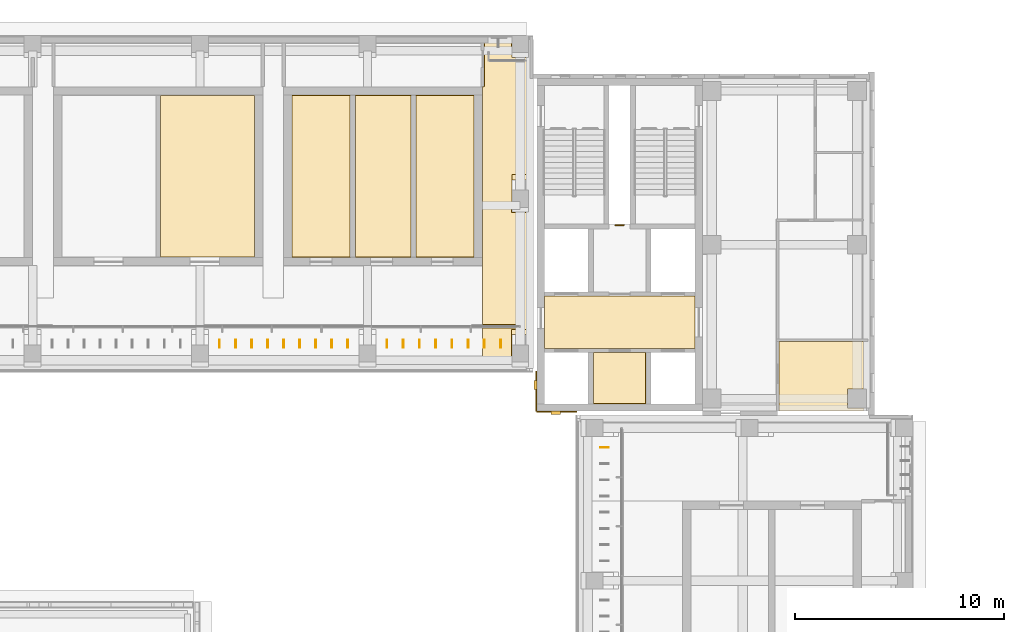
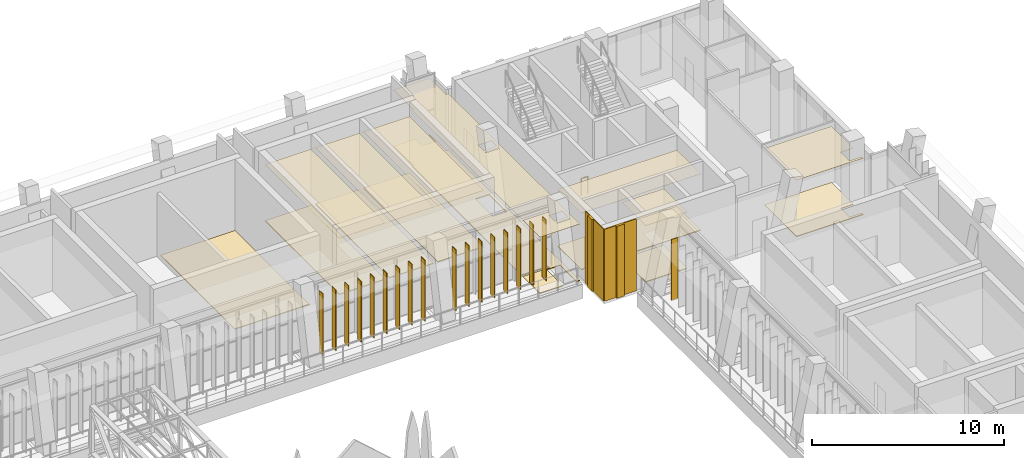
# One storey, part 140 of 141: 19 coverings, 18 shading devices, 1 railing.
"""IFC4 building model written with IfcOpenShell, lengths in metres."""

from ifc_helpers import new_model, si_unit, direction, frame, frame_2d, origin, origin_2d, place, context, subcontext, project, spatial, polyline, rectangle, circle, outline, extrude, material, layer, layer_set, type_object, element, save


model = new_model("IFC4")

# Units and contexts
model_context = context("Model", 3, precision=1e-05, world=origin(), true_north=direction((0.0, 1.0)))
body_context = subcontext(model_context, "Body", "Model", "MODEL_VIEW")
ifc_project = project(units=[si_unit("LENGTHUNIT", "METRE"), si_unit("AREAUNIT", "SQUARE_METRE"), si_unit("VOLUMEUNIT", "CUBIC_METRE"), si_unit("PLANEANGLEUNIT", "RADIAN"), si_unit("MASSUNIT", "GRAM", prefix="KILO")], contexts=[model_context])

# Site, building, storey
site_placement = place(None, origin())
site = spatial("IfcSite", under=ifc_project, at=site_placement, CompositionType="ELEMENT")
building_placement = place(site_placement, origin())
building = spatial("IfcBuilding", under=site, at=building_placement, Name="Lantern Court Media Centre", CompositionType="ELEMENT")
storey_placement = place(building_placement, frame((0.0, 0.0, 9.60009765625)))
storey = spatial("IfcBuildingStorey", under=building, at=storey_placement, Name="L02", CompositionType="ELEMENT", Elevation=9.60009765625)

# Coverings
ifc_material_1 = material(Name="Carpet")
ifc_layer_1 = layer(ifc_material_1, 0.050048828125)
ifc_layer_set_1 = layer_set([ifc_layer_1], Name="Carpet")
covering_type_1 = type_object("IfcCoveringType", Name="Carpet floor finish", PredefinedType="FLOORING", material=ifc_layer_set_1)
covering_1_placement = place(storey_placement, origin())
element("IfcCovering", 1, at=covering_1_placement, inside=storey, type_object=covering_type_1, Name="Render Room 03 floor finish", PredefinedType="FLOORING", context=body_context, shape_type="SweptSolid", body=[
    extrude(outline(polyline([(62.114990234375, 111.195068359375), (66.594970703125, 111.195068359375), (66.594970703125, 103.455078125), (62.114990234375, 103.455078125), (62.114990234375, 111.195068359375)])), origin(), (0.0, 0.0, 1.0), 0.0498046875),
])
covering_2_placement = place(storey_placement, origin())
element("IfcCovering", 2, at=covering_2_placement, inside=storey, type_object=covering_type_1, Name="Editing Suite 12 floor finish", PredefinedType="FLOORING", context=body_context, shape_type="SweptSolid", body=[
    extrude(outline(polyline([(68.405029296875, 103.455078125), (68.405029296875, 111.195068359375), (71.169921875, 111.195068359375), (71.169921875, 103.455078125), (68.405029296875, 103.455078125)])), origin(), (0.0, 0.0, 1.0), 0.0498046875),
])
covering_3_placement = place(storey_placement, origin())
element("IfcCovering", 3, at=covering_3_placement, inside=storey, type_object=covering_type_1, Name="Editing Suite 13 floor finish", PredefinedType="FLOORING", context=body_context, shape_type="SweptSolid", body=[
    extrude(outline(polyline([(71.429931640625, 111.195068359375), (74.070068359375, 111.195068359375), (74.070068359375, 103.455078125), (71.429931640625, 103.455078125), (71.429931640625, 111.195068359375)])), origin(), (0.0, 0.0, 1.0), 0.0498046875),
])
covering_4_placement = place(storey_placement, origin())
element("IfcCovering", 4, at=covering_4_placement, inside=storey, type_object=covering_type_1, Name="Editing Suite 14 floor finish", PredefinedType="FLOORING", context=body_context, shape_type="SweptSolid", body=[
    extrude(outline(polyline([(74.330078125, 111.195068359375), (77.094970703125, 111.195068359375), (77.094970703125, 103.455078125), (74.330078125, 103.455078125), (74.330078125, 111.195068359375)])), origin(), (0.0, 0.0, 1.0), 0.0498046875),
])
covering_5_placement = place(storey_placement, origin())
element("IfcCovering", 5, at=covering_5_placement, inside=storey, type_object=covering_type_1, Name="Equipment Store floor finish", PredefinedType="FLOORING", context=body_context, shape_type="SweptSolid", body=[
    extrude(outline(polyline([(95.699951171875, 96.10009765625), (91.66748046875, 96.10009765625), (91.66748046875, 99.43603515625), (95.699951171875, 99.43603515625), (95.699951171875, 97.155029296875), (94.945068359375, 97.14990234375), (94.94580078125, 96.247314453125), (95.699951171875, 96.2451171875), (95.699951171875, 96.10009765625)])), origin(), (0.0, 0.0, 1.0), 0.0498046875),
])
ifc_material_2 = material(Name="Ceramic tile")
ifc_layer_2 = layer(ifc_material_2, 0.050048828125)
ifc_layer_set_2 = layer_set([ifc_layer_2], Name="Ceramic tile")
covering_type_2 = type_object("IfcCoveringType", Name="Ceramic tile floor finish", PredefinedType="FLOORING", material=ifc_layer_set_2)
covering_6_placement = place(storey_placement, origin())
element("IfcCovering", 6, at=covering_6_placement, inside=storey, type_object=covering_type_2, Name="Accessible WC floor finish", PredefinedType="FLOORING", context=body_context, shape_type="SweptSolid", body=[
    extrude(outline(polyline([(82.804931640625, 96.455078125), (82.804931640625, 98.89501953125), (85.294921875, 98.89501953125), (85.294921875, 96.455078125), (82.804931640625, 96.455078125)])), origin(), (0.0, 0.0, 1.0), 0.0498046875),
])

# Railing
ifc_material_3 = material(Name="Powder-coated steel", Category="steel")
railing_type = type_object("IfcRailingType", Name="Floor edge guard 1100", PredefinedType="GUARDRAIL", material=ifc_material_3)
railing_placement = place(storey_placement, frame((83.85009765625, 104.989990234375, 0.0)))
element("IfcRailing", 7, at=railing_placement, inside=storey, type_object=railing_type, Name="L02 opening guard 81", PredefinedType="GUARDRAIL", context=body_context, shape_type="SweptSolid", body=[
    extrude(circle(Radius=0.02392578125, at=origin_2d()), frame((0.0, 0.0, 1.076171875), z_axis=(1.0, 0.0, 0.0), x_axis=(0.0, 1.0, 0.0)), (0.0, 0.0, 1.0), 0.39990234375),
    extrude(circle(Radius=0.02099609375, at=origin_2d()), origin(), (0.0, 0.0, 1.0), 1.052001953125),
    extrude(circle(Radius=0.02099609375, at=origin_2d()), frame((0.39990234375, 0.0, 0.0)), (0.0, 0.0, 1.0), 1.052001953125),
])

# Coverings
ifc_material_4 = material(Name="Honed limestone cladding", Category="masonry")
ifc_layer_3 = layer(ifc_material_4, 0.050048828125)
ifc_layer_set_3 = layer_set([ifc_layer_3], Name="Honed limestone cladding")
covering_type_3 = type_object("IfcCoveringType", Name="Limestone cladding panel 50", PredefinedType="CLADDING", material=ifc_layer_set_3)
for number, where, z_axis, x_axis, name in (
    (8, (80.074951171875, 96.10009765625, 0.0), (0.0, 0.0, 1.0), (0.0, 1.0, 0.0), "Limestone joint cladding N-NE L02"),
    (9, (80.10009765625, 96.074951171875, 0.0), (0.0, 0.0, 1.0), (1.0, 0.0, 0.0), "Limestone joint cladding E-NE L02"),
):
    element("IfcCovering", number, at=place(storey_placement, frame(where, z_axis=z_axis, x_axis=x_axis)), inside=storey, type_object=covering_type_3, Name=name, PredefinedType="CLADDING", context=body_context, shape_type="SweptSolid", body=[
        extrude(rectangle(XDim=1.89990234375, YDim=0.050048828125, at=frame_2d((0.949951171875, 0.0))), origin(), (0.0, 0.0, 1.0), 4.579833984375),
    ])
ifc_layer_4 = layer(ifc_material_4, 0.14990234375)
ifc_layer_set_4 = layer_set([ifc_layer_4], Name="Honed limestone cladding")
covering_type_4 = type_object("IfcCoveringType", Name="Limestone pilaster cladding 150", PredefinedType="CLADDING", material=ifc_layer_set_4)
covering_7_placement = place(storey_placement, frame((80.77490234375, 96.02490234375, 0.0), z_axis=(0.0, 0.0, 1.0), x_axis=(1.0, 0.0, 0.0)))
element("IfcCovering", 10, at=covering_7_placement, inside=storey, type_object=covering_type_4, Name="Limestone pilaster rib", PredefinedType="CLADDING", context=body_context, shape_type="SweptSolid", body=[
    extrude(rectangle(XDim=0.4501953125, YDim=0.14990234375, at=frame_2d((0.22509765625, 0.0))), origin(), (0.0, 0.0, 1.0), 4.579833984375),
])
covering_8_placement = place(storey_placement, frame((80.02490234375, 97.125, 0.0), z_axis=(0.0, 0.0, 1.0), x_axis=(0.0, 1.0, 0.0)))
element("IfcCovering", 11, at=covering_8_placement, inside=storey, type_object=covering_type_4, Name="Limestone pilaster rib", PredefinedType="CLADDING", context=body_context, shape_type="SweptSolid", body=[
    extrude(rectangle(XDim=0.449951171875, YDim=0.14990234375, at=frame_2d((0.22509765625, 0.0))), origin(), (0.0, 0.0, 1.0), 4.579833984375),
])
ifc_material_5 = material(Name="Mineral fibre ceiling tile")
ifc_layer_5 = layer(ifc_material_5, 0.02001953125)
ifc_layer_set_5 = layer_set([ifc_layer_5], Name="Mineral fibre ceiling tile")
covering_type_5 = type_object("IfcCoveringType", Name="Suspended ceiling tile", PredefinedType="CEILING", material=ifc_layer_set_5)
covering_9_placement = place(storey_placement, frame((0.0, 0.0, 3.599853515625)))
element("IfcCovering", 12, at=covering_9_placement, inside=storey, type_object=covering_type_5, Name="End Lobby ceiling", PredefinedType="CEILING", context=body_context, shape_type="SweptSolid", body=[
    extrude(outline(polyline([(79.89990234375, 98.300048828125), (77.5, 98.300048828125), (77.5, 100.074462890625), (79.1005859375, 100.074951171875), (79.10009765625, 100.2255859375), (77.5, 100.2255859375), (77.5, 111.6044921875), (77.58056640625, 111.60498046875), (77.58056640625, 113.695068359375), (77.5, 113.699462890625), (79.759521484375, 113.699951171875), (79.759521484375, 112.0), (79.89990234375, 111.99951171875), (79.89990234375, 98.300048828125)]), holes=[polyline([(79.699951171875, 98.95166015625), (79.699951171875, 99.00048828125), (78.8994140625, 99.0), (78.89990234375, 98.95166015625), (79.699951171875, 98.95166015625)]), polyline([(79.699951171875, 99.199462890625), (79.7001953125, 99.75244140625), (78.899658203125, 99.75244140625), (78.899658203125, 99.199462890625), (79.699951171875, 99.199462890625)]), polyline([(79.699951171875, 106.3515625), (79.699951171875, 106.400390625), (78.8994140625, 106.400146484375), (78.89990234375, 106.3515625), (79.699951171875, 106.3515625)]), polyline([(79.699951171875, 106.599609375), (79.7001953125, 107.152587890625), (78.899658203125, 107.15234375), (78.899658203125, 106.599609375), (79.699951171875, 106.599609375)])]), origin(), (0.0, 0.0, 1.0), 0.02001953125),
])
covering_10_placement = place(storey_placement, frame((0.0, 0.0, 3.599853515625)))
element("IfcCovering", 13, at=covering_10_placement, inside=storey, type_object=covering_type_5, Name="Editing Suite 12 ceiling", PredefinedType="CEILING", context=body_context, shape_type="SweptSolid", body=[
    extrude(outline(polyline([(71.300048828125, 103.450439453125), (68.400390625, 103.450439453125), (68.400390625, 111.199462890625), (71.300048828125, 111.199462890625), (71.174560546875, 111.195068359375), (71.174560546875, 103.455078125), (71.300048828125, 103.450439453125)])), origin(), (0.0, 0.0, 1.0), 0.02001953125),
])
covering_11_placement = place(storey_placement, frame((0.0, 0.0, 3.599853515625)))
element("IfcCovering", 14, at=covering_11_placement, inside=storey, type_object=covering_type_5, Name="Editing Suite 13 ceiling", PredefinedType="CEILING", context=body_context, shape_type="SweptSolid", body=[
    extrude(outline(polyline([(74.199951171875, 103.450439453125), (71.300048828125, 103.450439453125), (71.425537109375, 103.455078125), (71.425537109375, 111.195068359375), (71.300048828125, 111.199462890625), (74.199951171875, 111.199462890625), (74.074462890625, 111.195068359375), (74.074462890625, 103.455078125), (74.199951171875, 103.450439453125)])), origin(), (0.0, 0.0, 1.0), 0.02001953125),
])
covering_12_placement = place(storey_placement, frame((0.0, 0.0, 3.599853515625)))
element("IfcCovering", 15, at=covering_12_placement, inside=storey, type_object=covering_type_5, Name="Editing Suite 14 ceiling", PredefinedType="CEILING", context=body_context, shape_type="SweptSolid", body=[
    extrude(outline(polyline([(74.199951171875, 111.199462890625), (77.099609375, 111.199462890625), (77.099609375, 103.450439453125), (74.199951171875, 103.450439453125), (74.325439453125, 103.455078125), (74.325439453125, 111.195068359375), (74.199951171875, 111.199462890625)])), origin(), (0.0, 0.0, 1.0), 0.02001953125),
])
covering_13_placement = place(storey_placement, frame((0.0, 0.0, 3.599853515625)))
element("IfcCovering", 16, at=covering_13_placement, inside=storey, type_object=covering_type_5, Name="Lift Lobby ceiling", PredefinedType="CEILING", context=body_context, shape_type="SweptSolid", body=[
    extrude(outline(polyline([(80.450439453125, 101.599609375), (87.6494140625, 101.599609375), (87.6494140625, 99.1005859375), (80.450439453125, 99.1005859375), (80.450439453125, 101.599609375)])), origin(), (0.0, 0.0, 1.0), 0.02001953125),
])
covering_14_placement = place(storey_placement, frame((0.0, 0.0, 3.599853515625)))
element("IfcCovering", 17, at=covering_14_placement, inside=storey, type_object=covering_type_5, Name="Accessible WC ceiling", PredefinedType="CEILING", context=body_context, shape_type="SweptSolid", body=[
    extrude(outline(polyline([(82.800537109375, 96.450439453125), (82.800537109375, 98.8994140625), (85.299560546875, 98.8994140625), (85.299560546875, 96.450439453125), (82.800537109375, 96.450439453125)])), origin(), (0.0, 0.0, 1.0), 0.02001953125),
])
covering_15_placement = place(storey_placement, frame((0.0, 0.0, 3.599853515625)))
element("IfcCovering", 18, at=covering_15_placement, inside=storey, type_object=covering_type_5, Name="Equipment Store ceiling", PredefinedType="CEILING", context=body_context, shape_type="SweptSolid", body=[
    extrude(outline(polyline([(95.699951171875, 96.10009765625), (91.6630859375, 96.10009765625), (91.6630859375, 99.4404296875), (95.699951171875, 99.4404296875), (95.699951171875, 97.150390625), (94.949462890625, 97.14990234375), (94.949462890625, 96.249755859375), (95.699951171875, 96.24951171875), (95.699951171875, 96.10009765625)])), origin(), (0.0, 0.0, 1.0), 0.02001953125),
])
ifc_material_6 = material(Name="Terrazzo")
ifc_layer_6 = layer(ifc_material_6, 0.050048828125)
ifc_layer_set_6 = layer_set([ifc_layer_6], Name="Terrazzo")
covering_type_6 = type_object("IfcCoveringType", Name="Terrazzo floor finish", PredefinedType="FLOORING", material=ifc_layer_set_6)
covering_16_placement = place(storey_placement, origin())
element("IfcCovering", 19, at=covering_16_placement, inside=storey, type_object=covering_type_6, Name="End Lobby floor finish", PredefinedType="FLOORING", context=body_context, shape_type="SweptSolid", body=[
    extrude(outline(polyline([(79.89990234375, 98.300048828125), (79.705078125, 98.300048828125), (79.699951171875, 100.0048828125), (78.895263671875, 100.001953125), (78.89501953125, 98.300048828125), (77.5, 98.300048828125), (77.5, 100.070068359375), (79.10498046875, 100.074951171875), (79.1005859375, 100.22998046875), (77.5, 100.22998046875), (77.5048828125, 111.60009765625), (77.5849609375, 111.60498046875), (77.5849609375, 113.695068359375), (78.89501953125, 113.699951171875), (78.896728515625, 112.99609375), (79.699951171875, 112.9951171875), (79.705078125, 113.699951171875), (79.7548828125, 113.699951171875), (79.755126953125, 111.99951171875), (79.89990234375, 111.9951171875), (79.89990234375, 98.300048828125)]), holes=[polyline([(79.699951171875, 105.594970703125), (79.70458984375, 107.40185546875), (78.898193359375, 107.404541015625), (78.895263671875, 105.59814453125), (79.699951171875, 105.594970703125)])]), origin(), (0.0, 0.0, 1.0), 0.0498046875),
])
covering_17_placement = place(storey_placement, origin())
element("IfcCovering", 20, at=covering_17_placement, inside=storey, type_object=covering_type_6, Name="Lift Lobby floor finish", PredefinedType="FLOORING", context=body_context, shape_type="SweptSolid", body=[
    extrude(outline(polyline([(80.455078125, 99.10498046875), (80.455078125, 101.594970703125), (87.64501953125, 101.594970703125), (87.64501953125, 99.10498046875), (80.455078125, 99.10498046875)])), origin(), (0.0, 0.0, 1.0), 0.0498046875),
])

# Shading devices
ifc_material_7 = material(Name="Bronze anodised aluminium louvre", Category="aluminium")
ifc_layer_7 = layer(ifc_material_7, 0.0400390625)
ifc_layer_set_7 = layer_set([ifc_layer_7], Name="Bronze anodised aluminium louvre")
shading_device_type = type_object("IfcShadingDeviceType", Name="Vertical louvre 40x400 under beam", PredefinedType="USERDEFINED", material=ifc_layer_set_7)
for number, where, z_axis, x_axis, name in (
    (21, (64.933349609375, 99.320068359375, 0.0), (0.0, 0.0, 1.0), (1.0, 0.0, 0.0), "Vertical louvre N inner L02"),
    (22, (65.699951171875, 99.320068359375, 0.0), (0.0, 0.0, 1.0), (1.0, 0.0, 0.0), "Vertical louvre N inner L02"),
    (23, (66.466552734375, 99.320068359375, 0.0), (0.0, 0.0, 1.0), (1.0, 0.0, 0.0), "Vertical louvre N inner L02"),
    (24, (67.2333984375, 99.320068359375, 0.0), (0.0, 0.0, 1.0), (1.0, 0.0, 0.0), "Vertical louvre N inner L02"),
    (25, (68.0, 99.320068359375, 0.0), (0.0, 0.0, 1.0), (1.0, 0.0, 0.0), "Vertical louvre N inner L02"),
    (26, (68.7666015625, 99.320068359375, 0.0), (0.0, 0.0, 1.0), (1.0, 0.0, 0.0), "Vertical louvre N inner L02"),
    (27, (69.533447265625, 99.320068359375, 0.0), (0.0, 0.0, 1.0), (1.0, 0.0, 0.0), "Vertical louvre N inner L02"),
    (28, (70.300048828125, 99.320068359375, 0.0), (0.0, 0.0, 1.0), (1.0, 0.0, 0.0), "Vertical louvre N inner L02"),
    (29, (71.066650390625, 99.320068359375, 0.0), (0.0, 0.0, 1.0), (1.0, 0.0, 0.0), "Vertical louvre N inner L02"),
    (30, (72.9375, 99.320068359375, 0.0), (0.0, 0.0, 1.0), (1.0, 0.0, 0.0), "Vertical louvre N inner L02"),
    (31, (73.71240234375, 99.320068359375, 0.0), (0.0, 0.0, 1.0), (1.0, 0.0, 0.0), "Vertical louvre N inner L02"),
    (32, (74.487548828125, 99.320068359375, 0.0), (0.0, 0.0, 1.0), (1.0, 0.0, 0.0), "Vertical louvre N inner L02"),
    (33, (75.262451171875, 99.320068359375, 0.0), (0.0, 0.0, 1.0), (1.0, 0.0, 0.0), "Vertical louvre N inner L02"),
    (34, (76.03759765625, 99.320068359375, 0.0), (0.0, 0.0, 1.0), (1.0, 0.0, 0.0), "Vertical louvre N inner L02"),
    (35, (76.8125, 99.320068359375, 0.0), (0.0, 0.0, 1.0), (1.0, 0.0, 0.0), "Vertical louvre N inner L02"),
    (36, (77.58740234375, 99.320068359375, 0.0), (0.0, 0.0, 1.0), (1.0, 0.0, 0.0), "Vertical louvre N inner L02"),
    (37, (78.362548828125, 99.320068359375, 0.0), (0.0, 0.0, 1.0), (1.0, 0.0, 0.0), "Vertical louvre N inner L02"),
):
    element("IfcShadingDevice", number, at=place(storey_placement, frame(where, z_axis=z_axis, x_axis=x_axis)), inside=storey, type_object=shading_device_type, Name=name, ObjectType="VERTICAL LOUVRE", PredefinedType="USERDEFINED", context=body_context, shape_type="SweptSolid", body=[
        extrude(rectangle(XDim=0.0400390625, YDim=0.39990234375, at=origin_2d()), origin(), (0.0, 0.0, 1.0), 3.89990234375),
    ])
shading_device_placement = place(storey_placement, frame((83.320068359375, 94.362548828125, 0.0), z_axis=(0.0, 0.0, 1.0), x_axis=(1.0, 0.0, 0.0)))
element("IfcShadingDevice", 38, at=shading_device_placement, inside=storey, type_object=shading_device_type, Name="Vertical louvre E inner L02", ObjectType="VERTICAL LOUVRE", PredefinedType="USERDEFINED", context=body_context, shape_type="SweptSolid", body=[
    extrude(rectangle(XDim=0.39990234375, YDim=0.0400390625, at=origin_2d()), origin(), (0.0, 0.0, 1.0), 3.89990234375),
])

save(model, "model.ifc")
